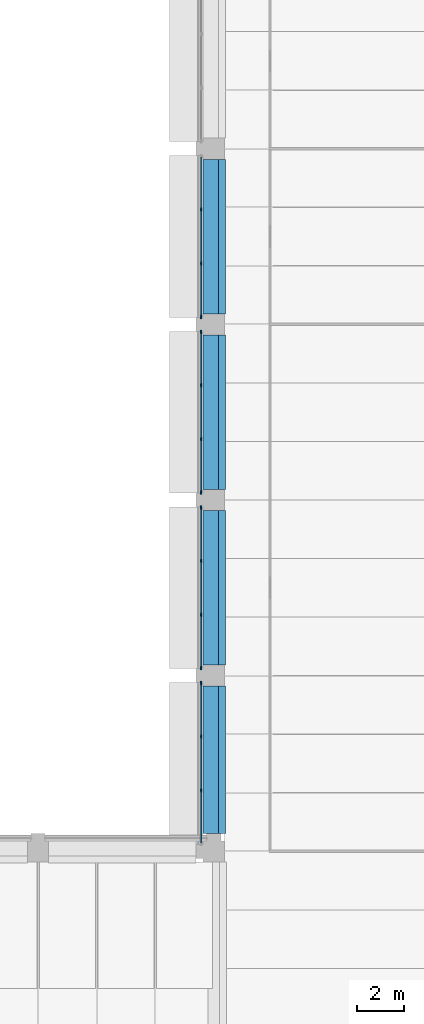
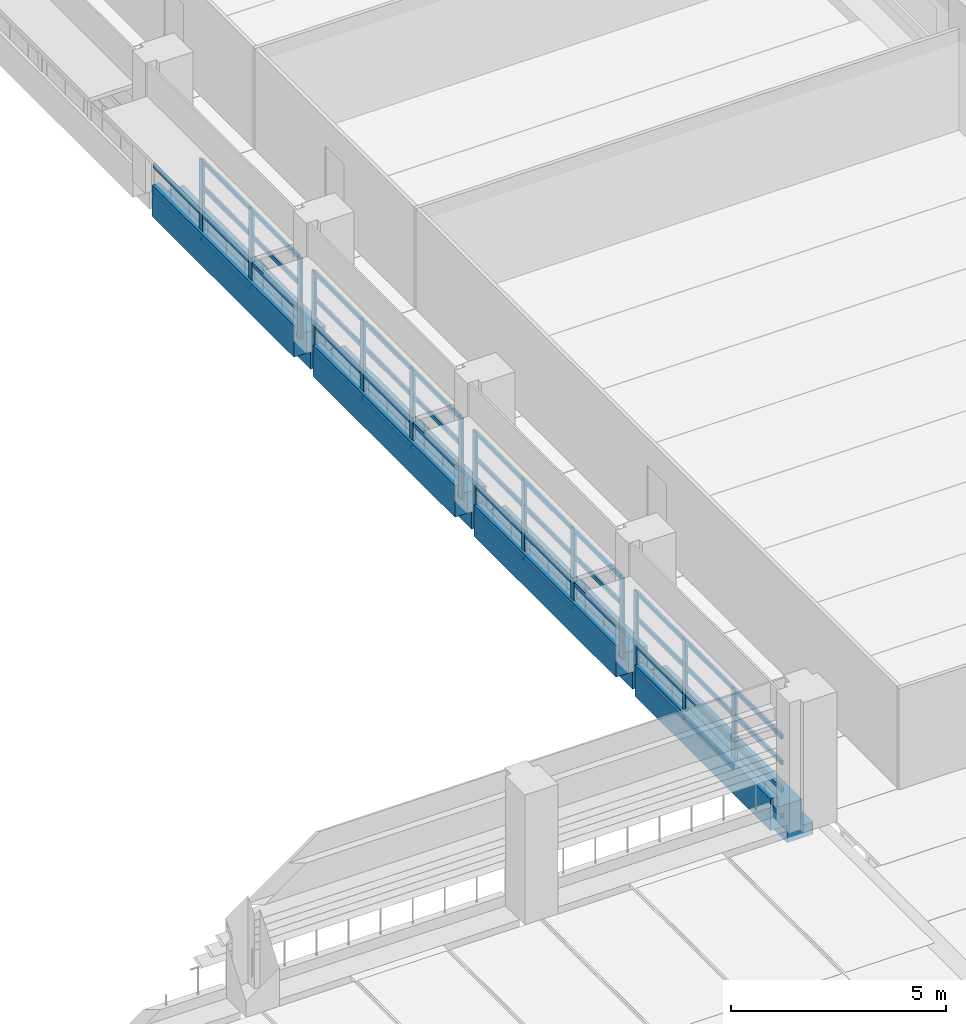
# One storey, part 17 of 57: 60 members, 4 beams, 4 elements without a shape of their own.
"""IFC4 building model written with IfcOpenShell, lengths in metres."""

import ifcopenshell
import ifcopenshell.guid

model = None  # the IFC model being written
_history = None  # IfcOwnerHistory: only IFC2X3 demands one
_inside = {}  # id of a spatial element -> (the spatial element, [elements in it])
_under = {}  # id of a project, library or spatial element -> (it, [spatial elements below it])
_declared = {}  # id of a project -> (the project, [libraries it declares])
_typed = {}  # id of a type object -> (the type object, [elements of that type])
_made_of = {}  # id of a material, layer set ... -> (it, [elements and type objects made of it])


def new_model(schema):
    """Start an empty IFC model of exactly this schema.

    Asked for "IFC4X3", IfcOpenShell would pick the latest addendum, in which some entities
    have other attributes; the version numbers below select the first issue.
    IFC2X3 requires an IfcOwnerHistory on every rooted entity: one is made here for all.
    """
    global model, _history
    if schema == "IFC4X3":
        model = ifcopenshell.file(schema_version=(4, 3, 0, 0))
    else:
        model = ifcopenshell.file(schema=schema)
    _inside.clear()
    _under.clear()
    _declared.clear()
    _typed.clear()
    _made_of.clear()
    _history = None
    if model.schema == "IFC2X3":
        org = make("IfcOrganization", Name="unknown")
        user = make(
            "IfcPersonAndOrganization",
            ThePerson=make("IfcPerson", FamilyName="unknown"),
            TheOrganization=org,
        )
        app = make(
            "IfcApplication",
            ApplicationDeveloper=org,
            Version="unknown",
            ApplicationFullName="unknown",
            ApplicationIdentifier="unknown",
        )
        _history = make(
            "IfcOwnerHistory",
            OwningUser=user,
            OwningApplication=app,
            ChangeAction="ADDED",
            CreationDate=0,
        )
    return model


def make(cls, **values):
    """One entity of the class cls with the attributes given. An attribute that is None is left unset."""
    return model.create_entity(
        cls, **{name: value for name, value in values.items() if value is not None}
    )


def rooted(cls, **values):
    """An entity with a GlobalId (a new one), such as an element, a storey or a relation."""
    return make(cls, GlobalId=ifcopenshell.guid.new(), OwnerHistory=_history, **values)


def si_unit(unit_type, name, prefix=None):
    """IfcSIUnit, for example si_unit("LENGTHUNIT", "METRE", prefix="MILLI")."""
    return make("IfcSIUnit", UnitType=unit_type, Prefix=prefix, Name=name)


def assignment(units):
    """IfcUnitAssignment: the units of a project."""
    return None if units is None else make("IfcUnitAssignment", Units=units)


def point(xyz):
    """IfcCartesianPoint."""
    return None if xyz is None else make("IfcCartesianPoint", Coordinates=xyz)


def direction(xyz):
    """IfcDirection."""
    return None if xyz is None else make("IfcDirection", DirectionRatios=xyz)


def frame(location, z_axis=None, x_axis=None):
    """IfcAxis2Placement3D, a coordinate frame: its origin and axes. An axis left out is left unset."""
    return make(
        "IfcAxis2Placement3D",
        Location=point(location),
        Axis=direction(z_axis),
        RefDirection=direction(x_axis),
    )


def frame_2d(location, x_axis=None):
    """IfcAxis2Placement2D, a coordinate frame in the plane: its origin and x axis."""
    return make(
        "IfcAxis2Placement2D", Location=point(location), RefDirection=direction(x_axis)
    )


def origin():
    """The frame at (0, 0, 0) with its axes left unset."""
    return frame((0.0, 0.0, 0.0))


def origin_2d():
    """The frame at (0, 0) in the plane with its x axis left unset."""
    return frame_2d((0.0, 0.0))


def place(relative_to, where):
    """IfcLocalPlacement: puts the frame where relative to a parent placement (None: the world)."""
    return make(
        "IfcLocalPlacement", PlacementRelTo=relative_to, RelativePlacement=where
    )


def context(
    kind, dimensions, precision=None, world=None, true_north=None, identifier=None
):
    """IfcGeometricRepresentationContext, for example the 3D "Model" context."""
    return make(
        "IfcGeometricRepresentationContext",
        ContextIdentifier=identifier,
        ContextType=kind,
        CoordinateSpaceDimension=dimensions,
        Precision=precision,
        WorldCoordinateSystem=world,
        TrueNorth=true_north,
    )


def subcontext(parent, identifier, kind, view, scale=None):
    """IfcGeometricRepresentationSubContext, for example "Body" below "Model"."""
    return make(
        "IfcGeometricRepresentationSubContext",
        ContextIdentifier=identifier,
        ContextType=kind,
        ParentContext=parent,
        TargetScale=scale,
        TargetView=view,
    )


def project(units=None, contexts=None):
    """IfcProject with its units and contexts."""
    return rooted(
        "IfcProject",
        Name="project",
        RepresentationContexts=contexts,
        UnitsInContext=assignment(units),
    )


def spatial(cls, under=None, at=None, **own):
    """A site, building, storey or space (cls), placed at a placement, below another one or the project."""
    s = rooted(cls, ObjectPlacement=at, **own)
    if under is not None:
        _under.setdefault(under.id(), (under, []))[1].append(s)
    return s


def polyline(points):
    """IfcPolyline through the points."""
    return make("IfcPolyline", Points=[point(p) for p in points])


def profile(cls, at=None, kind="AREA", **sizes):
    """A parametric profile (cls). Its sizes go by their IFC names, for example OverallWidth=200.0."""
    return make(cls, ProfileType=kind, Position=at, **sizes)


def rectangle(**sizes):
    """IfcRectangleProfileDef."""
    return profile("IfcRectangleProfileDef", **sizes)


def outline(outer, holes=None, kind="AREA"):
    """IfcArbitraryClosedProfileDef: a profile drawn as a closed curve; with holes, ...WithVoids."""
    if holes is None:
        return make("IfcArbitraryClosedProfileDef", ProfileType=kind, OuterCurve=outer)
    return make(
        "IfcArbitraryProfileDefWithVoids",
        ProfileType=kind,
        OuterCurve=outer,
        InnerCurves=holes,
    )


def extrude(swept, where, along, depth):
    """IfcExtrudedAreaSolid: the profile swept, set in the frame where, extruded along a direction by depth."""
    return make(
        "IfcExtrudedAreaSolid",
        SweptArea=swept,
        Position=where,
        ExtrudedDirection=direction(along),
        Depth=depth,
    )


def shape(context_of_items, identifier, shape_type, items):
    """IfcShapeRepresentation: the items that make up one representation, for example the "Body"."""
    return make(
        "IfcShapeRepresentation",
        ContextOfItems=context_of_items,
        RepresentationIdentifier=identifier,
        RepresentationType=shape_type,
        Items=items,
    )


def material(Name=None, Category=None):
    """IfcMaterial."""
    return make("IfcMaterial", Name=Name, Category=Category)


def layer(
    of_material, thickness, ventilated=None, Name=None, Category=None, Priority=None
):
    """IfcMaterialLayer: one layer of a wall or slab, of a material (None: an air gap)."""
    return make(
        "IfcMaterialLayer",
        Material=of_material,
        LayerThickness=thickness,
        IsVentilated=ventilated,
        Name=Name,
        Category=Category,
        Priority=Priority,
    )


def layer_set(layers, Name=None):
    """IfcMaterialLayerSet."""
    return make("IfcMaterialLayerSet", MaterialLayers=layers, LayerSetName=Name)


def material_profile(
    of_material, cross_section, Name=None, Category=None, Priority=None
):
    """IfcMaterialProfile: a cross section and its material."""
    return make(
        "IfcMaterialProfile",
        Name=Name,
        Material=of_material,
        Profile=cross_section,
        Priority=Priority,
        Category=Category,
    )


def profile_set(profiles, Name=None, composite=None):
    """IfcMaterialProfileSet."""
    return make(
        "IfcMaterialProfileSet",
        Name=Name,
        MaterialProfiles=profiles,
        CompositeProfile=composite,
    )


def made_of(thing, what):
    """Note that an element or type object is made of a material, layer set ...; save() writes the relation."""
    if what is not None:
        _made_of.setdefault(what.id(), (what, []))[1].append(thing)
    return thing


def type_object(cls, material=None, **own):
    """A type object (cls), such as IfcWallType, which elements share."""
    return made_of(rooted(cls, **own), material)


def element(
    cls,
    number,
    at=None,
    inside=None,
    cuts=None,
    type_object=None,
    material=None,
    context=None,
    identifier="Body",
    shape_type=None,
    held_by="IfcProductDefinitionShape",
    body=None,
    shapes=None,
    **own,
):
    """One element of the class cls, such as IfcWall. Its Tag is "e" and its number.

    at: its placement. inside: the storey or other place that contains it. cuts: it is an
    opening in that element (IfcRelVoidsElement). A single representation is given by context,
    identifier, shape_type and body (its items); several are given by shapes. held_by: the class
    of the entity that holds the representations. save() writes the other relations.
    """
    e = rooted(cls, Tag="e%d" % number, ObjectPlacement=at, **own)
    if body is not None:
        shapes = [shape(context, identifier, shape_type, body)]
    if shapes is not None:
        e.Representation = make(held_by, Representations=shapes)
    if inside is not None:
        _inside.setdefault(inside.id(), (inside, []))[1].append(e)
    if cuts is not None:
        rooted(
            "IfcRelVoidsElement", RelatingBuildingElement=cuts, RelatedOpeningElement=e
        )
    if type_object is not None:
        _typed.setdefault(type_object.id(), (type_object, []))[1].append(e)
    return made_of(e, material)


def aggregate(whole, parts):
    """IfcRelAggregates: a whole, such as a stair, and the parts it consists of."""
    return rooted("IfcRelAggregates", RelatingObject=whole, RelatedObjects=parts)


def save(model, path):
    """Write the relations noted so far, then the file.

    IfcRelAggregates (storeys below a building ...), IfcRelContainedInSpatialStructure (elements
    in a storey), IfcRelDefinesByType, IfcRelAssociatesMaterial and IfcRelDeclares: one each for
    every whole, place, type object, material and project.
    """
    for whole, parts in _under.values():
        aggregate(whole, parts)
    for where, things in _inside.values():
        rooted(
            "IfcRelContainedInSpatialStructure",
            RelatedElements=things,
            RelatingStructure=where,
        )
    for kind, things in _typed.values():
        rooted("IfcRelDefinesByType", RelatedObjects=things, RelatingType=kind)
    for what, things in _made_of.values():
        rooted("IfcRelAssociatesMaterial", RelatedObjects=things, RelatingMaterial=what)
    for by, libraries in _declared.values():
        rooted("IfcRelDeclares", RelatingContext=by, RelatedDefinitions=libraries)
    model.write(path)


model = new_model("IFC4")

# Units and contexts
model_context = context("Model", 3, precision=1e-05, world=origin(), true_north=direction((0.0, 1.0)))
body_context = subcontext(model_context, "Body", "Model", "MODEL_VIEW")
ifc_project = project(units=[si_unit("LENGTHUNIT", "METRE"), si_unit("AREAUNIT", "SQUARE_METRE"), si_unit("VOLUMEUNIT", "CUBIC_METRE"), si_unit("PLANEANGLEUNIT", "RADIAN"), si_unit("MASSUNIT", "GRAM", prefix="KILO")], contexts=[model_context])

# Site, building, storey
site_placement = place(None, origin())
site = spatial("IfcSite", under=ifc_project, at=site_placement, CompositionType="ELEMENT")
building_placement = place(site_placement, origin())
building = spatial("IfcBuilding", under=site, at=building_placement, Name="Cour d'Honneur Mobility Palace", CompositionType="ELEMENT")
storey_placement = place(building_placement, frame((0.0, 0.0, 8.199951171875)))
storey = spatial("IfcBuildingStorey", under=building, at=storey_placement, Name="L02", CompositionType="ELEMENT", Elevation=8.199951171875)

# Curtain wall, members
ifc_material_1 = material(Name="Aluminium and glass", Category="aluminium")
ifc_layer = layer(ifc_material_1, 0.10009765625)
ifc_layer_set = layer_set([ifc_layer], Name="Aluminium and glass")
curtain_wall_type = type_object("IfcCurtainWallType", Name="Curtain wall run", PredefinedType="NOTDEFINED", material=ifc_layer_set)
curtain_wall_1_placement = place(storey_placement, origin())
curtain_wall_1 = element("IfcCurtainWall", 1, at=curtain_wall_1_placement, inside=storey, type_object=curtain_wall_type, Name="Curtain wall CW-54", PredefinedType="NOTDEFINED")
ifc_material_2 = material(Name="Aluminium", Category="aluminium")
ifc_material_profile_1 = material_profile(ifc_material_2, rectangle(XDim=0.06005859375, YDim=0.159912109375, at=origin_2d()), Name="Curtain wall mullion")
ifc_profile_set_1 = profile_set([ifc_material_profile_1], Name="Aluminium")
member_type_1 = type_object("IfcMemberType", Name="Curtain wall mullion", PredefinedType="MULLION", material=ifc_profile_set_1)
member_1_placement = place(storey_placement, frame((144.35009765625, 89.800048828125, 0.0), z_axis=(0.0, 0.0, 1.0), x_axis=(1.0, 0.0, 0.0)))
member_1 = element("IfcMember", 2, at=member_1_placement, type_object=member_type_1, Name="CW-54 mullion 2", PredefinedType="MULLION", context=body_context, shape_type="SweptSolid", body=[
    extrude(rectangle(XDim=0.06005859375, YDim=0.159912109375, at=origin_2d()), origin(), (0.0, 0.0, 1.0), 2.300048828125),
])
member_2_placement = place(storey_placement, frame((144.35009765625, 87.5, 0.0), z_axis=(0.0, 0.0, 1.0), x_axis=(1.0, 0.0, 0.0)))
member_2 = element("IfcMember", 3, at=member_2_placement, type_object=member_type_1, Name="CW-54 mullion 3", PredefinedType="MULLION", context=body_context, shape_type="SweptSolid", body=[
    extrude(rectangle(XDim=0.06005859375, YDim=0.159912109375, at=origin_2d()), origin(), (0.0, 0.0, 1.0), 2.300048828125),
])
member_3_placement = place(storey_placement, frame((144.35009765625, 85.22998046875, 0.0), z_axis=(0.0, 0.0, 1.0), x_axis=(1.0, 0.0, 0.0)))
member_3 = element("IfcMember", 4, at=member_3_placement, type_object=member_type_1, Name="CW-54 mullion 4", PredefinedType="MULLION", context=body_context, shape_type="SweptSolid", body=[
    extrude(rectangle(XDim=0.06005859375, YDim=0.159912109375, at=origin_2d()), origin(), (0.0, 0.0, 1.0), 2.300048828125),
])

curtain_wall_2_placement = place(storey_placement, origin())
curtain_wall_2 = element("IfcCurtainWall", 5, at=curtain_wall_2_placement, inside=storey, type_object=curtain_wall_type, Name="Curtain wall CW-55", PredefinedType="NOTDEFINED")
member_4_placement = place(storey_placement, frame((144.35009765625, 84.570068359375, 0.0), z_axis=(0.0, 0.0, 1.0), x_axis=(1.0, 0.0, 0.0)))
member_4 = element("IfcMember", 6, at=member_4_placement, type_object=member_type_1, Name="CW-55 mullion 1", PredefinedType="MULLION", context=body_context, shape_type="SweptSolid", body=[
    extrude(rectangle(XDim=0.06005859375, YDim=0.159912109375, at=origin_2d()), origin(), (0.0, 0.0, 1.0), 2.300048828125),
])
member_5_placement = place(storey_placement, frame((144.35009765625, 82.300048828125, 0.0), z_axis=(0.0, 0.0, 1.0), x_axis=(1.0, 0.0, 0.0)))
member_5 = element("IfcMember", 7, at=member_5_placement, type_object=member_type_1, Name="CW-55 mullion 2", PredefinedType="MULLION", context=body_context, shape_type="SweptSolid", body=[
    extrude(rectangle(XDim=0.06005859375, YDim=0.159912109375, at=origin_2d()), origin(), (0.0, 0.0, 1.0), 2.300048828125),
])
member_6_placement = place(storey_placement, frame((144.35009765625, 80.0, 0.0), z_axis=(0.0, 0.0, 1.0), x_axis=(1.0, 0.0, 0.0)))
member_6 = element("IfcMember", 8, at=member_6_placement, type_object=member_type_1, Name="CW-55 mullion 3", PredefinedType="MULLION", context=body_context, shape_type="SweptSolid", body=[
    extrude(rectangle(XDim=0.06005859375, YDim=0.159912109375, at=origin_2d()), origin(), (0.0, 0.0, 1.0), 2.300048828125),
])
member_7_placement = place(storey_placement, frame((144.35009765625, 77.72998046875, 0.0), z_axis=(0.0, 0.0, 1.0), x_axis=(1.0, 0.0, 0.0)))
member_7 = element("IfcMember", 9, at=member_7_placement, type_object=member_type_1, Name="CW-55 mullion 4", PredefinedType="MULLION", context=body_context, shape_type="SweptSolid", body=[
    extrude(rectangle(XDim=0.06005859375, YDim=0.159912109375, at=origin_2d()), origin(), (0.0, 0.0, 1.0), 2.300048828125),
])

curtain_wall_3_placement = place(storey_placement, origin())
curtain_wall_3 = element("IfcCurtainWall", 10, at=curtain_wall_3_placement, inside=storey, type_object=curtain_wall_type, Name="Curtain wall CW-56", PredefinedType="NOTDEFINED")
member_8_placement = place(storey_placement, frame((144.35009765625, 77.070068359375, 0.0), z_axis=(0.0, 0.0, 1.0), x_axis=(1.0, 0.0, 0.0)))
member_8 = element("IfcMember", 11, at=member_8_placement, type_object=member_type_1, Name="CW-56 mullion 1", PredefinedType="MULLION", context=body_context, shape_type="SweptSolid", body=[
    extrude(rectangle(XDim=0.06005859375, YDim=0.159912109375, at=origin_2d()), origin(), (0.0, 0.0, 1.0), 2.300048828125),
])
member_9_placement = place(storey_placement, frame((144.35009765625, 74.800048828125, 0.0), z_axis=(0.0, 0.0, 1.0), x_axis=(1.0, 0.0, 0.0)))
member_9 = element("IfcMember", 12, at=member_9_placement, type_object=member_type_1, Name="CW-56 mullion 2", PredefinedType="MULLION", context=body_context, shape_type="SweptSolid", body=[
    extrude(rectangle(XDim=0.06005859375, YDim=0.159912109375, at=origin_2d()), origin(), (0.0, 0.0, 1.0), 2.300048828125),
])
member_10_placement = place(storey_placement, frame((144.35009765625, 72.5, 0.0), z_axis=(0.0, 0.0, 1.0), x_axis=(1.0, 0.0, 0.0)))
member_10 = element("IfcMember", 13, at=member_10_placement, type_object=member_type_1, Name="CW-56 mullion 3", PredefinedType="MULLION", context=body_context, shape_type="SweptSolid", body=[
    extrude(rectangle(XDim=0.06005859375, YDim=0.159912109375, at=origin_2d()), origin(), (0.0, 0.0, 1.0), 2.300048828125),
])
member_11_placement = place(storey_placement, frame((144.35009765625, 70.22998046875, 0.0), z_axis=(0.0, 0.0, 1.0), x_axis=(1.0, 0.0, 0.0)))
member_11 = element("IfcMember", 14, at=member_11_placement, type_object=member_type_1, Name="CW-56 mullion 4", PredefinedType="MULLION", context=body_context, shape_type="SweptSolid", body=[
    extrude(rectangle(XDim=0.06005859375, YDim=0.159912109375, at=origin_2d()), origin(), (0.0, 0.0, 1.0), 2.300048828125),
])

curtain_wall_4_placement = place(storey_placement, origin())
curtain_wall_4 = element("IfcCurtainWall", 15, at=curtain_wall_4_placement, inside=storey, type_object=curtain_wall_type, Name="Curtain wall CW-57", PredefinedType="NOTDEFINED")
member_12_placement = place(storey_placement, frame((144.35009765625, 69.570068359375, 0.0), z_axis=(0.0, 0.0, 1.0), x_axis=(1.0, 0.0, 0.0)))
member_12 = element("IfcMember", 16, at=member_12_placement, type_object=member_type_1, Name="CW-57 mullion 1", PredefinedType="MULLION", context=body_context, shape_type="SweptSolid", body=[
    extrude(rectangle(XDim=0.06005859375, YDim=0.159912109375, at=origin_2d()), origin(), (0.0, 0.0, 1.0), 2.300048828125),
])
member_13_placement = place(storey_placement, frame((144.35009765625, 67.300048828125, 0.0), z_axis=(0.0, 0.0, 1.0), x_axis=(1.0, 0.0, 0.0)))
member_13 = element("IfcMember", 17, at=member_13_placement, type_object=member_type_1, Name="CW-57 mullion 2", PredefinedType="MULLION", context=body_context, shape_type="SweptSolid", body=[
    extrude(rectangle(XDim=0.06005859375, YDim=0.159912109375, at=origin_2d()), origin(), (0.0, 0.0, 1.0), 2.300048828125),
])
member_14_placement = place(storey_placement, frame((144.35009765625, 65.0, 0.0), z_axis=(0.0, 0.0, 1.0), x_axis=(1.0, 0.0, 0.0)))
member_14 = element("IfcMember", 18, at=member_14_placement, type_object=member_type_1, Name="CW-57 mullion 3", PredefinedType="MULLION", context=body_context, shape_type="SweptSolid", body=[
    extrude(rectangle(XDim=0.06005859375, YDim=0.159912109375, at=origin_2d()), origin(), (0.0, 0.0, 1.0), 2.300048828125),
])

# Member
ifc_material_3 = material(Name="Aluminium", Category="aluminium")
ifc_material_profile_2 = material_profile(ifc_material_3, rectangle(XDim=0.06005859375, YDim=0.1201171875, at=origin_2d()), Name="Curtain wall transom")
ifc_profile_set_2 = profile_set([ifc_material_profile_2], Name="Aluminium")
member_type_2 = type_object("IfcMemberType", Name="Curtain wall transom", PredefinedType="USERDEFINED", material=ifc_profile_set_2)
member_15_placement = place(storey_placement, frame((144.35009765625, 92.0400390625, 0.030029296875), z_axis=(0.0, -1.0, 0.0), x_axis=(1.0, 0.0, 0.0)))
member_15 = element("IfcMember", 19, at=member_15_placement, type_object=member_type_2, Name="CW-54 transom 1.1", ObjectType="TRANSOM", PredefinedType="USERDEFINED", context=body_context, shape_type="SweptSolid", body=[
    extrude(rectangle(XDim=0.06005859375, YDim=0.1201171875, at=origin_2d()), origin(), (0.0, 0.0, 1.0), 2.2099609375),
])

member_16_placement = place(storey_placement, frame((144.35009765625, 92.0400390625, 0.7666015625), z_axis=(0.0, -1.0, 0.0), x_axis=(1.0, 0.0, 0.0)))
member_16 = element("IfcMember", 20, at=member_16_placement, type_object=member_type_2, Name="CW-54 transom 1.2", ObjectType="TRANSOM", PredefinedType="USERDEFINED", context=body_context, shape_type="SweptSolid", body=[
    extrude(rectangle(XDim=0.06005859375, YDim=0.1201171875, at=origin_2d()), origin(), (0.0, 0.0, 1.0), 2.2099609375),
])

member_17_placement = place(storey_placement, frame((144.35009765625, 89.77001953125, 0.030029296875), z_axis=(0.0, -1.0, 0.0), x_axis=(1.0, 0.0, 0.0)))
member_17 = element("IfcMember", 21, at=member_17_placement, type_object=member_type_2, Name="CW-54 transom 2.1", ObjectType="TRANSOM", PredefinedType="USERDEFINED", context=body_context, shape_type="SweptSolid", body=[
    extrude(rectangle(XDim=0.06005859375, YDim=0.1201171875, at=origin_2d()), origin(), (0.0, 0.0, 1.0), 2.239990234375),
])

member_18_placement = place(storey_placement, frame((144.35009765625, 89.77001953125, 0.7666015625), z_axis=(0.0, -1.0, 0.0), x_axis=(1.0, 0.0, 0.0)))
member_18 = element("IfcMember", 22, at=member_18_placement, type_object=member_type_2, Name="CW-54 transom 2.2", ObjectType="TRANSOM", PredefinedType="USERDEFINED", context=body_context, shape_type="SweptSolid", body=[
    extrude(rectangle(XDim=0.06005859375, YDim=0.1201171875, at=origin_2d()), origin(), (0.0, 0.0, 1.0), 2.239990234375),
])

member_19_placement = place(storey_placement, frame((144.35009765625, 89.77001953125, 1.533447265625), z_axis=(0.0, -1.0, 0.0), x_axis=(1.0, 0.0, 0.0)))
member_19 = element("IfcMember", 23, at=member_19_placement, type_object=member_type_2, Name="CW-54 transom 2.3", ObjectType="TRANSOM", PredefinedType="USERDEFINED", context=body_context, shape_type="SweptSolid", body=[
    extrude(rectangle(XDim=0.06005859375, YDim=0.1201171875, at=origin_2d()), origin(), (0.0, 0.0, 1.0), 2.239990234375),
])

member_20_placement = place(storey_placement, frame((144.35009765625, 89.77001953125, 2.27001953125), z_axis=(0.0, -1.0, 0.0), x_axis=(1.0, 0.0, 0.0)))
member_20 = element("IfcMember", 24, at=member_20_placement, type_object=member_type_2, Name="CW-54 transom 2.4", ObjectType="TRANSOM", PredefinedType="USERDEFINED", context=body_context, shape_type="SweptSolid", body=[
    extrude(rectangle(XDim=0.06005859375, YDim=0.1201171875, at=origin_2d()), origin(), (0.0, 0.0, 1.0), 2.239990234375),
])

member_21_placement = place(storey_placement, frame((144.35009765625, 87.469970703125, 0.030029296875), z_axis=(0.0, -1.0, 0.0), x_axis=(1.0, 0.0, 0.0)))
member_21 = element("IfcMember", 25, at=member_21_placement, type_object=member_type_2, Name="CW-54 transom 3.1", ObjectType="TRANSOM", PredefinedType="USERDEFINED", context=body_context, shape_type="SweptSolid", body=[
    extrude(rectangle(XDim=0.06005859375, YDim=0.1201171875, at=origin_2d()), origin(), (0.0, 0.0, 1.0), 2.2099609375),
])

member_22_placement = place(storey_placement, frame((144.35009765625, 87.469970703125, 0.7666015625), z_axis=(0.0, -1.0, 0.0), x_axis=(1.0, 0.0, 0.0)))
member_22 = element("IfcMember", 26, at=member_22_placement, type_object=member_type_2, Name="CW-54 transom 3.2", ObjectType="TRANSOM", PredefinedType="USERDEFINED", context=body_context, shape_type="SweptSolid", body=[
    extrude(rectangle(XDim=0.06005859375, YDim=0.1201171875, at=origin_2d()), origin(), (0.0, 0.0, 1.0), 2.2099609375),
])

member_23_placement = place(storey_placement, frame((144.35009765625, 87.469970703125, 1.533447265625), z_axis=(0.0, -1.0, 0.0), x_axis=(1.0, 0.0, 0.0)))
member_23 = element("IfcMember", 27, at=member_23_placement, type_object=member_type_2, Name="CW-54 transom 3.3", ObjectType="TRANSOM", PredefinedType="USERDEFINED", context=body_context, shape_type="SweptSolid", body=[
    extrude(rectangle(XDim=0.06005859375, YDim=0.1201171875, at=origin_2d()), origin(), (0.0, 0.0, 1.0), 2.2099609375),
])

member_24_placement = place(storey_placement, frame((144.35009765625, 87.469970703125, 2.27001953125), z_axis=(0.0, -1.0, 0.0), x_axis=(1.0, 0.0, 0.0)))
member_24 = element("IfcMember", 28, at=member_24_placement, type_object=member_type_2, Name="CW-54 transom 3.4", ObjectType="TRANSOM", PredefinedType="USERDEFINED", context=body_context, shape_type="SweptSolid", body=[
    extrude(rectangle(XDim=0.06005859375, YDim=0.1201171875, at=origin_2d()), origin(), (0.0, 0.0, 1.0), 2.2099609375),
])

aggregate(curtain_wall_1, [member_1, member_2, member_3, member_15, member_16, member_17, member_18, member_19, member_20, member_21, member_22, member_23, member_24])

member_25_placement = place(storey_placement, frame((144.35009765625, 84.5400390625, 0.030029296875), z_axis=(0.0, -1.0, 0.0), x_axis=(1.0, 0.0, 0.0)))
member_25 = element("IfcMember", 29, at=member_25_placement, type_object=member_type_2, Name="CW-55 transom 1.1", ObjectType="TRANSOM", PredefinedType="USERDEFINED", context=body_context, shape_type="SweptSolid", body=[
    extrude(rectangle(XDim=0.06005859375, YDim=0.1201171875, at=origin_2d()), origin(), (0.0, 0.0, 1.0), 2.2099609375),
])

member_26_placement = place(storey_placement, frame((144.35009765625, 84.5400390625, 0.7666015625), z_axis=(0.0, -1.0, 0.0), x_axis=(1.0, 0.0, 0.0)))
member_26 = element("IfcMember", 30, at=member_26_placement, type_object=member_type_2, Name="CW-55 transom 1.2", ObjectType="TRANSOM", PredefinedType="USERDEFINED", context=body_context, shape_type="SweptSolid", body=[
    extrude(rectangle(XDim=0.06005859375, YDim=0.1201171875, at=origin_2d()), origin(), (0.0, 0.0, 1.0), 2.2099609375),
])

member_27_placement = place(storey_placement, frame((144.35009765625, 84.5400390625, 1.533447265625), z_axis=(0.0, -1.0, 0.0), x_axis=(1.0, 0.0, 0.0)))
member_27 = element("IfcMember", 31, at=member_27_placement, type_object=member_type_2, Name="CW-55 transom 1.3", ObjectType="TRANSOM", PredefinedType="USERDEFINED", context=body_context, shape_type="SweptSolid", body=[
    extrude(rectangle(XDim=0.06005859375, YDim=0.1201171875, at=origin_2d()), origin(), (0.0, 0.0, 1.0), 2.2099609375),
])

member_28_placement = place(storey_placement, frame((144.35009765625, 84.5400390625, 2.27001953125), z_axis=(0.0, -1.0, 0.0), x_axis=(1.0, 0.0, 0.0)))
member_28 = element("IfcMember", 32, at=member_28_placement, type_object=member_type_2, Name="CW-55 transom 1.4", ObjectType="TRANSOM", PredefinedType="USERDEFINED", context=body_context, shape_type="SweptSolid", body=[
    extrude(rectangle(XDim=0.06005859375, YDim=0.1201171875, at=origin_2d()), origin(), (0.0, 0.0, 1.0), 2.2099609375),
])

member_29_placement = place(storey_placement, frame((144.35009765625, 82.27001953125, 0.030029296875), z_axis=(0.0, -1.0, 0.0), x_axis=(1.0, 0.0, 0.0)))
member_29 = element("IfcMember", 33, at=member_29_placement, type_object=member_type_2, Name="CW-55 transom 2.1", ObjectType="TRANSOM", PredefinedType="USERDEFINED", context=body_context, shape_type="SweptSolid", body=[
    extrude(rectangle(XDim=0.06005859375, YDim=0.1201171875, at=origin_2d()), origin(), (0.0, 0.0, 1.0), 2.239990234375),
])

member_30_placement = place(storey_placement, frame((144.35009765625, 82.27001953125, 0.7666015625), z_axis=(0.0, -1.0, 0.0), x_axis=(1.0, 0.0, 0.0)))
member_30 = element("IfcMember", 34, at=member_30_placement, type_object=member_type_2, Name="CW-55 transom 2.2", ObjectType="TRANSOM", PredefinedType="USERDEFINED", context=body_context, shape_type="SweptSolid", body=[
    extrude(rectangle(XDim=0.06005859375, YDim=0.1201171875, at=origin_2d()), origin(), (0.0, 0.0, 1.0), 2.239990234375),
])

member_31_placement = place(storey_placement, frame((144.35009765625, 82.27001953125, 1.533447265625), z_axis=(0.0, -1.0, 0.0), x_axis=(1.0, 0.0, 0.0)))
member_31 = element("IfcMember", 35, at=member_31_placement, type_object=member_type_2, Name="CW-55 transom 2.3", ObjectType="TRANSOM", PredefinedType="USERDEFINED", context=body_context, shape_type="SweptSolid", body=[
    extrude(rectangle(XDim=0.06005859375, YDim=0.1201171875, at=origin_2d()), origin(), (0.0, 0.0, 1.0), 2.239990234375),
])

member_32_placement = place(storey_placement, frame((144.35009765625, 82.27001953125, 2.27001953125), z_axis=(0.0, -1.0, 0.0), x_axis=(1.0, 0.0, 0.0)))
member_32 = element("IfcMember", 36, at=member_32_placement, type_object=member_type_2, Name="CW-55 transom 2.4", ObjectType="TRANSOM", PredefinedType="USERDEFINED", context=body_context, shape_type="SweptSolid", body=[
    extrude(rectangle(XDim=0.06005859375, YDim=0.1201171875, at=origin_2d()), origin(), (0.0, 0.0, 1.0), 2.239990234375),
])

member_33_placement = place(storey_placement, frame((144.35009765625, 79.969970703125, 0.030029296875), z_axis=(0.0, -1.0, 0.0), x_axis=(1.0, 0.0, 0.0)))
member_33 = element("IfcMember", 37, at=member_33_placement, type_object=member_type_2, Name="CW-55 transom 3.1", ObjectType="TRANSOM", PredefinedType="USERDEFINED", context=body_context, shape_type="SweptSolid", body=[
    extrude(rectangle(XDim=0.06005859375, YDim=0.1201171875, at=origin_2d()), origin(), (0.0, 0.0, 1.0), 2.2099609375),
])

member_34_placement = place(storey_placement, frame((144.35009765625, 79.969970703125, 0.7666015625), z_axis=(0.0, -1.0, 0.0), x_axis=(1.0, 0.0, 0.0)))
member_34 = element("IfcMember", 38, at=member_34_placement, type_object=member_type_2, Name="CW-55 transom 3.2", ObjectType="TRANSOM", PredefinedType="USERDEFINED", context=body_context, shape_type="SweptSolid", body=[
    extrude(rectangle(XDim=0.06005859375, YDim=0.1201171875, at=origin_2d()), origin(), (0.0, 0.0, 1.0), 2.2099609375),
])

member_35_placement = place(storey_placement, frame((144.35009765625, 79.969970703125, 1.533447265625), z_axis=(0.0, -1.0, 0.0), x_axis=(1.0, 0.0, 0.0)))
member_35 = element("IfcMember", 39, at=member_35_placement, type_object=member_type_2, Name="CW-55 transom 3.3", ObjectType="TRANSOM", PredefinedType="USERDEFINED", context=body_context, shape_type="SweptSolid", body=[
    extrude(rectangle(XDim=0.06005859375, YDim=0.1201171875, at=origin_2d()), origin(), (0.0, 0.0, 1.0), 2.2099609375),
])

member_36_placement = place(storey_placement, frame((144.35009765625, 79.969970703125, 2.27001953125), z_axis=(0.0, -1.0, 0.0), x_axis=(1.0, 0.0, 0.0)))
member_36 = element("IfcMember", 40, at=member_36_placement, type_object=member_type_2, Name="CW-55 transom 3.4", ObjectType="TRANSOM", PredefinedType="USERDEFINED", context=body_context, shape_type="SweptSolid", body=[
    extrude(rectangle(XDim=0.06005859375, YDim=0.1201171875, at=origin_2d()), origin(), (0.0, 0.0, 1.0), 2.2099609375),
])

aggregate(curtain_wall_2, [member_4, member_5, member_6, member_7, member_25, member_26, member_27, member_28, member_29, member_30, member_31, member_32, member_33, member_34, member_35, member_36])

member_37_placement = place(storey_placement, frame((144.35009765625, 77.0400390625, 0.030029296875), z_axis=(0.0, -1.0, 0.0), x_axis=(1.0, 0.0, 0.0)))
member_37 = element("IfcMember", 41, at=member_37_placement, type_object=member_type_2, Name="CW-56 transom 1.1", ObjectType="TRANSOM", PredefinedType="USERDEFINED", context=body_context, shape_type="SweptSolid", body=[
    extrude(rectangle(XDim=0.06005859375, YDim=0.1201171875, at=origin_2d()), origin(), (0.0, 0.0, 1.0), 2.2099609375),
])

member_38_placement = place(storey_placement, frame((144.35009765625, 77.0400390625, 0.7666015625), z_axis=(0.0, -1.0, 0.0), x_axis=(1.0, 0.0, 0.0)))
member_38 = element("IfcMember", 42, at=member_38_placement, type_object=member_type_2, Name="CW-56 transom 1.2", ObjectType="TRANSOM", PredefinedType="USERDEFINED", context=body_context, shape_type="SweptSolid", body=[
    extrude(rectangle(XDim=0.06005859375, YDim=0.1201171875, at=origin_2d()), origin(), (0.0, 0.0, 1.0), 2.2099609375),
])

member_39_placement = place(storey_placement, frame((144.35009765625, 77.0400390625, 1.533447265625), z_axis=(0.0, -1.0, 0.0), x_axis=(1.0, 0.0, 0.0)))
member_39 = element("IfcMember", 43, at=member_39_placement, type_object=member_type_2, Name="CW-56 transom 1.3", ObjectType="TRANSOM", PredefinedType="USERDEFINED", context=body_context, shape_type="SweptSolid", body=[
    extrude(rectangle(XDim=0.06005859375, YDim=0.1201171875, at=origin_2d()), origin(), (0.0, 0.0, 1.0), 2.2099609375),
])

member_40_placement = place(storey_placement, frame((144.35009765625, 77.0400390625, 2.27001953125), z_axis=(0.0, -1.0, 0.0), x_axis=(1.0, 0.0, 0.0)))
member_40 = element("IfcMember", 44, at=member_40_placement, type_object=member_type_2, Name="CW-56 transom 1.4", ObjectType="TRANSOM", PredefinedType="USERDEFINED", context=body_context, shape_type="SweptSolid", body=[
    extrude(rectangle(XDim=0.06005859375, YDim=0.1201171875, at=origin_2d()), origin(), (0.0, 0.0, 1.0), 2.2099609375),
])

member_41_placement = place(storey_placement, frame((144.35009765625, 74.77001953125, 0.030029296875), z_axis=(0.0, -1.0, 0.0), x_axis=(1.0, 0.0, 0.0)))
member_41 = element("IfcMember", 45, at=member_41_placement, type_object=member_type_2, Name="CW-56 transom 2.1", ObjectType="TRANSOM", PredefinedType="USERDEFINED", context=body_context, shape_type="SweptSolid", body=[
    extrude(rectangle(XDim=0.06005859375, YDim=0.1201171875, at=origin_2d()), origin(), (0.0, 0.0, 1.0), 2.239990234375),
])

member_42_placement = place(storey_placement, frame((144.35009765625, 74.77001953125, 0.7666015625), z_axis=(0.0, -1.0, 0.0), x_axis=(1.0, 0.0, 0.0)))
member_42 = element("IfcMember", 46, at=member_42_placement, type_object=member_type_2, Name="CW-56 transom 2.2", ObjectType="TRANSOM", PredefinedType="USERDEFINED", context=body_context, shape_type="SweptSolid", body=[
    extrude(rectangle(XDim=0.06005859375, YDim=0.1201171875, at=origin_2d()), origin(), (0.0, 0.0, 1.0), 2.239990234375),
])

member_43_placement = place(storey_placement, frame((144.35009765625, 74.77001953125, 1.533447265625), z_axis=(0.0, -1.0, 0.0), x_axis=(1.0, 0.0, 0.0)))
member_43 = element("IfcMember", 47, at=member_43_placement, type_object=member_type_2, Name="CW-56 transom 2.3", ObjectType="TRANSOM", PredefinedType="USERDEFINED", context=body_context, shape_type="SweptSolid", body=[
    extrude(rectangle(XDim=0.06005859375, YDim=0.1201171875, at=origin_2d()), origin(), (0.0, 0.0, 1.0), 2.239990234375),
])

member_44_placement = place(storey_placement, frame((144.35009765625, 74.77001953125, 2.27001953125), z_axis=(0.0, -1.0, 0.0), x_axis=(1.0, 0.0, 0.0)))
member_44 = element("IfcMember", 48, at=member_44_placement, type_object=member_type_2, Name="CW-56 transom 2.4", ObjectType="TRANSOM", PredefinedType="USERDEFINED", context=body_context, shape_type="SweptSolid", body=[
    extrude(rectangle(XDim=0.06005859375, YDim=0.1201171875, at=origin_2d()), origin(), (0.0, 0.0, 1.0), 2.239990234375),
])

member_45_placement = place(storey_placement, frame((144.35009765625, 72.469970703125, 0.030029296875), z_axis=(0.0, -1.0, 0.0), x_axis=(1.0, 0.0, 0.0)))
member_45 = element("IfcMember", 49, at=member_45_placement, type_object=member_type_2, Name="CW-56 transom 3.1", ObjectType="TRANSOM", PredefinedType="USERDEFINED", context=body_context, shape_type="SweptSolid", body=[
    extrude(rectangle(XDim=0.06005859375, YDim=0.1201171875, at=origin_2d()), origin(), (0.0, 0.0, 1.0), 2.2099609375),
])

member_46_placement = place(storey_placement, frame((144.35009765625, 72.469970703125, 0.7666015625), z_axis=(0.0, -1.0, 0.0), x_axis=(1.0, 0.0, 0.0)))
member_46 = element("IfcMember", 50, at=member_46_placement, type_object=member_type_2, Name="CW-56 transom 3.2", ObjectType="TRANSOM", PredefinedType="USERDEFINED", context=body_context, shape_type="SweptSolid", body=[
    extrude(rectangle(XDim=0.06005859375, YDim=0.1201171875, at=origin_2d()), origin(), (0.0, 0.0, 1.0), 2.2099609375),
])

member_47_placement = place(storey_placement, frame((144.35009765625, 72.469970703125, 1.533447265625), z_axis=(0.0, -1.0, 0.0), x_axis=(1.0, 0.0, 0.0)))
member_47 = element("IfcMember", 51, at=member_47_placement, type_object=member_type_2, Name="CW-56 transom 3.3", ObjectType="TRANSOM", PredefinedType="USERDEFINED", context=body_context, shape_type="SweptSolid", body=[
    extrude(rectangle(XDim=0.06005859375, YDim=0.1201171875, at=origin_2d()), origin(), (0.0, 0.0, 1.0), 2.2099609375),
])

member_48_placement = place(storey_placement, frame((144.35009765625, 72.469970703125, 2.27001953125), z_axis=(0.0, -1.0, 0.0), x_axis=(1.0, 0.0, 0.0)))
member_48 = element("IfcMember", 52, at=member_48_placement, type_object=member_type_2, Name="CW-56 transom 3.4", ObjectType="TRANSOM", PredefinedType="USERDEFINED", context=body_context, shape_type="SweptSolid", body=[
    extrude(rectangle(XDim=0.06005859375, YDim=0.1201171875, at=origin_2d()), origin(), (0.0, 0.0, 1.0), 2.2099609375),
])

aggregate(curtain_wall_3, [member_8, member_9, member_10, member_11, member_37, member_38, member_39, member_40, member_41, member_42, member_43, member_44, member_45, member_46, member_47, member_48])

member_49_placement = place(storey_placement, frame((144.35009765625, 69.5400390625, 0.030029296875), z_axis=(0.0, -1.0, 0.0), x_axis=(1.0, 0.0, 0.0)))
member_49 = element("IfcMember", 53, at=member_49_placement, type_object=member_type_2, Name="CW-57 transom 1.1", ObjectType="TRANSOM", PredefinedType="USERDEFINED", context=body_context, shape_type="SweptSolid", body=[
    extrude(rectangle(XDim=0.06005859375, YDim=0.1201171875, at=origin_2d()), origin(), (0.0, 0.0, 1.0), 2.2099609375),
])

member_50_placement = place(storey_placement, frame((144.35009765625, 69.5400390625, 0.7666015625), z_axis=(0.0, -1.0, 0.0), x_axis=(1.0, 0.0, 0.0)))
member_50 = element("IfcMember", 54, at=member_50_placement, type_object=member_type_2, Name="CW-57 transom 1.2", ObjectType="TRANSOM", PredefinedType="USERDEFINED", context=body_context, shape_type="SweptSolid", body=[
    extrude(rectangle(XDim=0.06005859375, YDim=0.1201171875, at=origin_2d()), origin(), (0.0, 0.0, 1.0), 2.2099609375),
])

member_51_placement = place(storey_placement, frame((144.35009765625, 69.5400390625, 1.533447265625), z_axis=(0.0, -1.0, 0.0), x_axis=(1.0, 0.0, 0.0)))
member_51 = element("IfcMember", 55, at=member_51_placement, type_object=member_type_2, Name="CW-57 transom 1.3", ObjectType="TRANSOM", PredefinedType="USERDEFINED", context=body_context, shape_type="SweptSolid", body=[
    extrude(rectangle(XDim=0.06005859375, YDim=0.1201171875, at=origin_2d()), origin(), (0.0, 0.0, 1.0), 2.2099609375),
])

member_52_placement = place(storey_placement, frame((144.35009765625, 69.5400390625, 2.27001953125), z_axis=(0.0, -1.0, 0.0), x_axis=(1.0, 0.0, 0.0)))
member_52 = element("IfcMember", 56, at=member_52_placement, type_object=member_type_2, Name="CW-57 transom 1.4", ObjectType="TRANSOM", PredefinedType="USERDEFINED", context=body_context, shape_type="SweptSolid", body=[
    extrude(rectangle(XDim=0.06005859375, YDim=0.1201171875, at=origin_2d()), origin(), (0.0, 0.0, 1.0), 2.2099609375),
])

member_53_placement = place(storey_placement, frame((144.35009765625, 67.27001953125, 0.030029296875), z_axis=(0.0, -1.0, 0.0), x_axis=(1.0, 0.0, 0.0)))
member_53 = element("IfcMember", 57, at=member_53_placement, type_object=member_type_2, Name="CW-57 transom 2.1", ObjectType="TRANSOM", PredefinedType="USERDEFINED", context=body_context, shape_type="SweptSolid", body=[
    extrude(rectangle(XDim=0.06005859375, YDim=0.1201171875, at=origin_2d()), origin(), (0.0, 0.0, 1.0), 2.239990234375),
])

member_54_placement = place(storey_placement, frame((144.35009765625, 67.27001953125, 0.7666015625), z_axis=(0.0, -1.0, 0.0), x_axis=(1.0, 0.0, 0.0)))
member_54 = element("IfcMember", 58, at=member_54_placement, type_object=member_type_2, Name="CW-57 transom 2.2", ObjectType="TRANSOM", PredefinedType="USERDEFINED", context=body_context, shape_type="SweptSolid", body=[
    extrude(rectangle(XDim=0.06005859375, YDim=0.1201171875, at=origin_2d()), origin(), (0.0, 0.0, 1.0), 2.239990234375),
])

member_55_placement = place(storey_placement, frame((144.35009765625, 67.27001953125, 1.533447265625), z_axis=(0.0, -1.0, 0.0), x_axis=(1.0, 0.0, 0.0)))
member_55 = element("IfcMember", 59, at=member_55_placement, type_object=member_type_2, Name="CW-57 transom 2.3", ObjectType="TRANSOM", PredefinedType="USERDEFINED", context=body_context, shape_type="SweptSolid", body=[
    extrude(rectangle(XDim=0.06005859375, YDim=0.1201171875, at=origin_2d()), origin(), (0.0, 0.0, 1.0), 2.239990234375),
])

member_56_placement = place(storey_placement, frame((144.35009765625, 67.27001953125, 2.27001953125), z_axis=(0.0, -1.0, 0.0), x_axis=(1.0, 0.0, 0.0)))
member_56 = element("IfcMember", 60, at=member_56_placement, type_object=member_type_2, Name="CW-57 transom 2.4", ObjectType="TRANSOM", PredefinedType="USERDEFINED", context=body_context, shape_type="SweptSolid", body=[
    extrude(rectangle(XDim=0.06005859375, YDim=0.1201171875, at=origin_2d()), origin(), (0.0, 0.0, 1.0), 2.239990234375),
])

member_57_placement = place(storey_placement, frame((144.35009765625, 64.969970703125, 0.030029296875), z_axis=(0.0, -1.0, 0.0), x_axis=(1.0, 0.0, 0.0)))
member_57 = element("IfcMember", 61, at=member_57_placement, type_object=member_type_2, Name="CW-57 transom 3.1", ObjectType="TRANSOM", PredefinedType="USERDEFINED", context=body_context, shape_type="SweptSolid", body=[
    extrude(rectangle(XDim=0.06005859375, YDim=0.1201171875, at=origin_2d()), origin(), (0.0, 0.0, 1.0), 2.2099609375),
])

member_58_placement = place(storey_placement, frame((144.35009765625, 64.969970703125, 0.7666015625), z_axis=(0.0, -1.0, 0.0), x_axis=(1.0, 0.0, 0.0)))
member_58 = element("IfcMember", 62, at=member_58_placement, type_object=member_type_2, Name="CW-57 transom 3.2", ObjectType="TRANSOM", PredefinedType="USERDEFINED", context=body_context, shape_type="SweptSolid", body=[
    extrude(rectangle(XDim=0.06005859375, YDim=0.1201171875, at=origin_2d()), origin(), (0.0, 0.0, 1.0), 2.2099609375),
])

member_59_placement = place(storey_placement, frame((144.35009765625, 64.969970703125, 1.533447265625), z_axis=(0.0, -1.0, 0.0), x_axis=(1.0, 0.0, 0.0)))
member_59 = element("IfcMember", 63, at=member_59_placement, type_object=member_type_2, Name="CW-57 transom 3.3", ObjectType="TRANSOM", PredefinedType="USERDEFINED", context=body_context, shape_type="SweptSolid", body=[
    extrude(rectangle(XDim=0.06005859375, YDim=0.1201171875, at=origin_2d()), origin(), (0.0, 0.0, 1.0), 2.2099609375),
])

member_60_placement = place(storey_placement, frame((144.35009765625, 64.969970703125, 2.27001953125), z_axis=(0.0, -1.0, 0.0), x_axis=(1.0, 0.0, 0.0)))
member_60 = element("IfcMember", 64, at=member_60_placement, type_object=member_type_2, Name="CW-57 transom 3.4", ObjectType="TRANSOM", PredefinedType="USERDEFINED", context=body_context, shape_type="SweptSolid", body=[
    extrude(rectangle(XDim=0.06005859375, YDim=0.1201171875, at=origin_2d()), origin(), (0.0, 0.0, 1.0), 2.2099609375),
])

aggregate(curtain_wall_4, [member_12, member_13, member_14, member_49, member_50, member_51, member_52, member_53, member_54, member_55, member_56, member_57, member_58, member_59, member_60])

# Beams
ifc_material_4 = material(Name="Concrete C45", Category="concrete")
ifc_material_profile_3 = material_profile(ifc_material_4, outline(polyline([(0.199951171875, -1.10009765625), (0.199951171875, -0.60009765625), (0.64990234375, -0.60009765625), (0.64990234375, 0.300048828125), (0.449951171875, 0.300048828125), (0.449951171875, 0.0), (0.199951171875, 0.0), (-0.199951171875, 0.0), (-0.199951171875, -0.75), (-0.5, -0.75), (-0.5, -1.10009765625), (0.199951171875, -1.10009765625)])), Name="Ledger Beam 400x1100 ledge right 350 facade left")
ifc_profile_set_3 = profile_set([ifc_material_profile_3], Name="Concrete C45")
beam_type = type_object("IfcBeamType", Name="Ledger Beam 400x1100 ledge right 350 facade left", PredefinedType="BEAM", material=ifc_profile_set_3)
beam_placement = place(storey_placement, frame((144.89990234375, 63.14990234375, 0.0), z_axis=(0.0, 1.0, 0.0), x_axis=(-1.0, 0.0, 0.0)))
element("IfcBeam", 65, at=beam_placement, inside=storey, type_object=beam_type, Name="Precast beam B4 H-J L02", PredefinedType="BEAM", context=body_context, shape_type="SweptSolid", body=[
    extrude(outline(polyline([(0.199951171875, -1.10009765625), (0.199951171875, -0.60009765625), (0.64990234375, -0.60009765625), (0.64990234375, 0.300048828125), (0.449951171875, 0.300048828125), (0.449951171875, 0.0), (0.199951171875, 0.0), (-0.199951171875, 0.0), (-0.199951171875, -0.75), (-0.5, -0.75), (-0.5, -1.10009765625), (0.199951171875, -1.10009765625)])), origin(), (0.0, 0.0, 1.0), 6.300048828125),
])
for number, where, z_axis, x_axis, name in (
    (66, (144.89990234375, 70.35009765625, 0.0), (0.0, 1.0, 0.0), (-1.0, 0.0, 0.0), "Precast beam B4 J-K L02"),
    (67, (144.89990234375, 77.85009765625, 0.0), (0.0, 1.0, 0.0), (-1.0, 0.0, 0.0), "Precast beam B4 K-L L02"),
    (68, (144.89990234375, 85.35009765625, 0.0), (0.0, 1.0, 0.0), (-1.0, 0.0, 0.0), "Precast beam B4 L-M L02"),
):
    element("IfcBeam", number, at=place(storey_placement, frame(where, z_axis=z_axis, x_axis=x_axis)), inside=storey, type_object=beam_type, Name=name, PredefinedType="BEAM", context=body_context, shape_type="SweptSolid", body=[
        extrude(outline(polyline([(0.199951171875, -1.10009765625), (0.199951171875, -0.60009765625), (0.64990234375, -0.60009765625), (0.64990234375, 0.300048828125), (0.449951171875, 0.300048828125), (0.449951171875, 0.0), (0.199951171875, 0.0), (-0.199951171875, 0.0), (-0.199951171875, -0.75), (-0.5, -0.75), (-0.5, -1.10009765625), (0.199951171875, -1.10009765625)])), origin(), (0.0, 0.0, 1.0), 6.599853515625),
    ])

save(model, "model.ifc")
